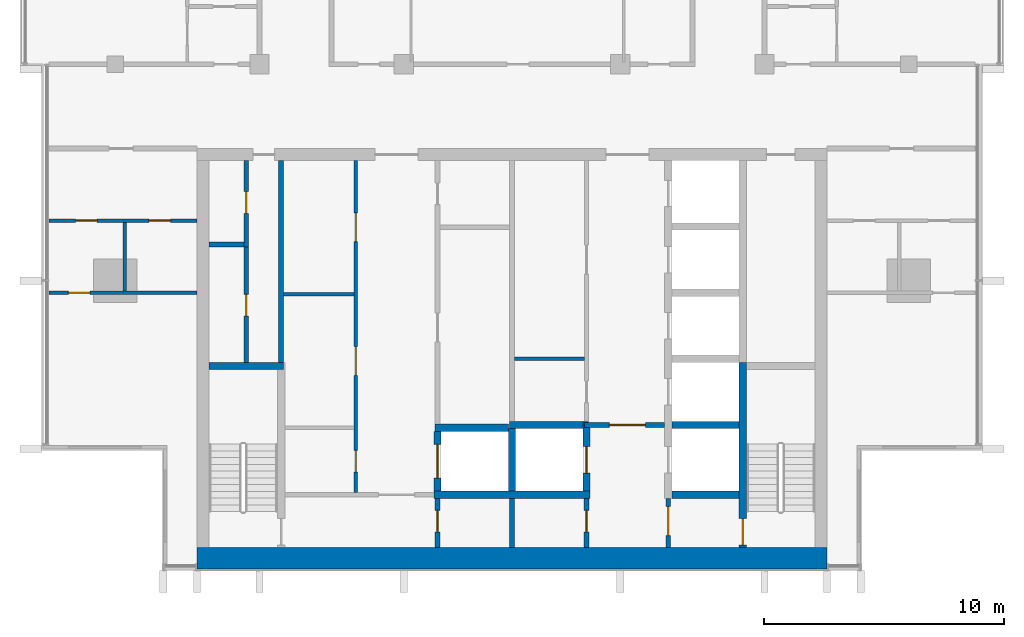
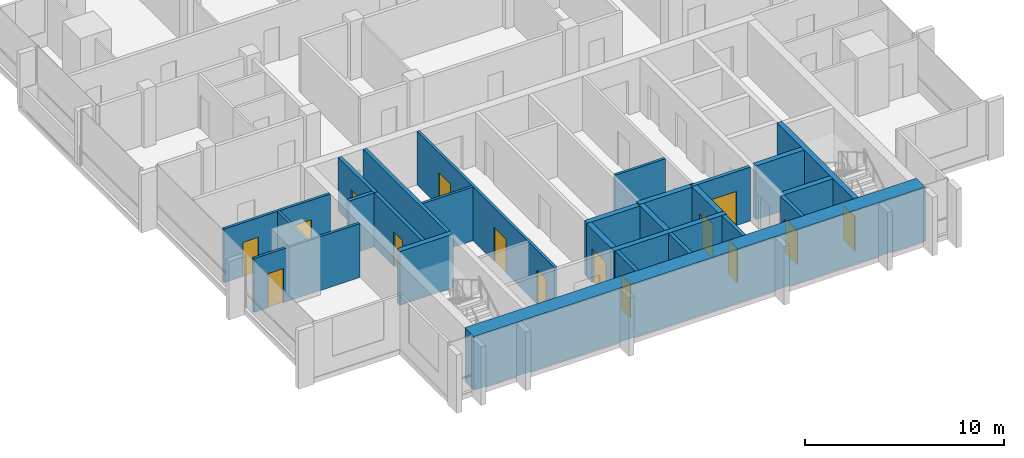
# One storey, part 7 of 16: 26 walls, 15 doors, 15 openings.
"""IFC4 building model written with IfcOpenShell, lengths in metres."""

from ifc_helpers import new_model, si_unit, direction, frame, frame_2d, origin, place, context, subcontext, project, spatial, rectangle, extrude, material, layer, layer_set, type_object, element, fill, save


model = new_model("IFC4")

# Units and contexts
model_context = context("Model", 3, precision=1e-05, world=origin(), true_north=direction((0.0, 1.0)))
body_context = subcontext(model_context, "Body", "Model", "MODEL_VIEW")
ifc_project = project(units=[si_unit("LENGTHUNIT", "METRE"), si_unit("AREAUNIT", "SQUARE_METRE"), si_unit("VOLUMEUNIT", "CUBIC_METRE"), si_unit("PLANEANGLEUNIT", "RADIAN"), si_unit("MASSUNIT", "GRAM", prefix="KILO")], contexts=[model_context])

# Site, building, storey
site_placement = place(None, origin())
site = spatial("IfcSite", under=ifc_project, at=site_placement, CompositionType="ELEMENT")
building_placement = place(site_placement, origin())
building = spatial("IfcBuilding", under=site, at=building_placement, Name="Finial Court Residences", CompositionType="ELEMENT")
storey_placement = place(building_placement, frame((0.0, 0.0, 262.699951171875)))
storey = spatial("IfcBuildingStorey", under=building, at=storey_placement, Name="L66", CompositionType="ELEMENT", Elevation=262.699951171875)

# Walls
ifc_material_1 = material(Name="Fire-rated gypsum board partition")
ifc_layer_1 = layer(ifc_material_1, 0.14990234375)
ifc_layer_set_1 = layer_set([ifc_layer_1], Name="Core room partition 150 EI 60")
wall_type_1 = type_object("IfcWallType", Name="Core room partition 150 EI 60", PredefinedType="PARTITIONING", material=ifc_layer_set_1)
wall_1_placement = place(storey_placement, frame((0.10009765625, -16.75, 0.0), z_axis=(0.0, 0.0, 1.0), x_axis=(1.0, 0.0, 0.0)))
element("IfcWall", 1, at=wall_1_placement, inside=storey, type_object=wall_type_1, Name="Core partition L66-11", PredefinedType="PARTITIONING", context=body_context, shape_type="SweptSolid", body=[
    extrude(rectangle(XDim=2.9248046875, YDim=0.14990234375, at=frame_2d((1.46240234375, 0.0))), origin(), (0.0, 0.0, 1.0), 3.300048828125),
])
wall_2_placement = place(storey_placement, frame((-9.5, -14.06005859375, 0.0), z_axis=(0.0, 0.0, 1.0), x_axis=(1.0, 0.0, 0.0)))
element("IfcWall", 2, at=wall_2_placement, inside=storey, type_object=wall_type_1, Name="Core partition L66-13", PredefinedType="PARTITIONING", context=body_context, shape_type="SweptSolid", body=[
    extrude(rectangle(XDim=2.925048828125, YDim=0.14990234375, at=frame_2d((1.46240234375, 0.0))), origin(), (0.0, 0.0, 1.0), 3.300048828125),
])

# Wall, openings, doors
wall_3_placement = place(storey_placement, frame((-6.5, -22.300048828125, 0.0), z_axis=(0.0, 0.0, 1.0), x_axis=(0.0, 1.0, 0.0)))
wall_3 = element("IfcWall", 3, at=wall_3_placement, inside=storey, type_object=wall_type_1, Name="Core partition L66-22", PredefinedType="PARTITIONING", context=body_context, shape_type="SweptSolid", body=[
    extrude(rectangle(XDim=13.800048828125, YDim=0.14990234375, at=frame_2d((6.89990234375, 0.0))), origin(), (0.0, 0.0, 1.0), 3.300048828125),
])
opening_1_placement = place(wall_3_placement, frame((0.840087890625, 0.0, 0.0)))
opening_1 = element("IfcOpeningElement", 4, at=opening_1_placement, cuts=wall_3, Name="Opening L66-C14", PredefinedType="OPENING", context=body_context, shape_type="SweptSolid", body=[
    extrude(rectangle(XDim=0.89990234375, YDim=2.10009765625, at=frame_2d((0.449951171875, 1.050048828125))), frame((0.0, 0.0849609375, 0.0), z_axis=(0.0, -1.0, 0.0), x_axis=(1.0, 0.0, 0.0)), (0.0, 0.0, 1.0), 0.169921875),
])
opening_2_placement = place(wall_3_placement, frame((4.860107421875, 0.0, 0.0)))
opening_2 = element("IfcOpeningElement", 5, at=opening_2_placement, cuts=wall_3, Name="Opening L66-C15", PredefinedType="OPENING", context=body_context, shape_type="SweptSolid", body=[
    extrude(rectangle(XDim=1.199951171875, YDim=2.10009765625, at=frame_2d((0.60009765625, 1.050048828125))), frame((0.0, 0.0849609375, 0.0), z_axis=(0.0, -1.0, 0.0), x_axis=(1.0, 0.0, 0.0)), (0.0, 0.0, 1.0), 0.169921875),
])
opening_3_placement = place(wall_3_placement, frame((10.419921875, 0.0, 0.0)))
opening_3 = element("IfcOpeningElement", 6, at=opening_3_placement, cuts=wall_3, Name="Opening L66-C16", PredefinedType="OPENING", context=body_context, shape_type="SweptSolid", body=[
    extrude(rectangle(XDim=1.199951171875, YDim=2.10009765625, at=frame_2d((0.60009765625, 1.050048828125))), frame((0.0, 0.0849609375, 0.0), z_axis=(0.0, -1.0, 0.0), x_axis=(1.0, 0.0, 0.0)), (0.0, 0.0, 1.0), 0.169921875),
])
ifc_material_2 = material(Name="Steel fire door", Category="steel")
door_type_1 = type_object("IfcDoorType", Name="Core room door 1200 x 2100 EI 60", OperationType="NOTDEFINED", PredefinedType="DOOR", material=ifc_material_2)
door_1_placement = place(opening_2_placement, origin())
door_1 = element("IfcDoor", 7, at=door_1_placement, inside=storey, type_object=door_type_1, Name="Core room door L66-C15", OperationType="SINGLE_SWING_RIGHT", OverallHeight=2.10009765625, OverallWidth=1.199951171875, PredefinedType="DOOR", context=body_context, shape_type="SweptSolid", body=[
    extrude(rectangle(XDim=1.199951171875, YDim=2.10009765625, at=frame_2d((0.60009765625, 1.050048828125))), frame((0.0, 0.02490234375, 0.0), z_axis=(0.0, -1.0, 0.0), x_axis=(1.0, 0.0, 0.0)), (0.0, 0.0, 1.0), 0.050048828125),
])
fill(opening_2, door_1)
door_2_placement = place(opening_3_placement, origin())
door_2 = element("IfcDoor", 8, at=door_2_placement, inside=storey, type_object=door_type_1, Name="Core room door L66-C16", OperationType="SINGLE_SWING_RIGHT", OverallHeight=2.10009765625, OverallWidth=1.199951171875, PredefinedType="DOOR", context=body_context, shape_type="SweptSolid", body=[
    extrude(rectangle(XDim=1.199951171875, YDim=2.10009765625, at=frame_2d((0.60009765625, 1.050048828125))), frame((0.0, 0.02490234375, 0.0), z_axis=(0.0, -1.0, 0.0), x_axis=(1.0, 0.0, 0.0)), (0.0, 0.0, 1.0), 0.050048828125),
])
fill(opening_3, door_2)
door_type_2 = type_object("IfcDoorType", Name="Core room door 900 x 2100 EI 60", OperationType="NOTDEFINED", PredefinedType="DOOR", material=ifc_material_2)
door_3_placement = place(opening_1_placement, origin())
door_3 = element("IfcDoor", 9, at=door_3_placement, inside=storey, type_object=door_type_2, Name="Core room door L66-C14", OperationType="SINGLE_SWING_LEFT", OverallHeight=2.10009765625, OverallWidth=0.89990234375, PredefinedType="DOOR", context=body_context, shape_type="SweptSolid", body=[
    extrude(rectangle(XDim=0.89990234375, YDim=2.10009765625, at=frame_2d((0.449951171875, 1.050048828125))), frame((0.0, 0.02490234375, 0.0), z_axis=(0.0, -1.0, 0.0), x_axis=(1.0, 0.0, 0.0)), (0.0, 0.0, 1.0), 0.050048828125),
])
fill(opening_1, door_3)

# Wall
ifc_material_3 = material(Name="Concrete C50/60", Category="concrete")
ifc_layer_2 = layer(ifc_material_3, 0.89990234375)
ifc_layer_set_2 = layer_set([ifc_layer_2], Name="Core south facade wall 900 Concrete C50/60")
wall_type_2 = type_object("IfcWallType", Name="Core south facade wall 900 Concrete C50/60", PredefinedType="SHEAR", material=ifc_layer_set_2)
wall_4_placement = place(storey_placement, frame((-13.10009765625, -25.050048828125, 0.0), z_axis=(0.0, 0.0, 1.0), x_axis=(1.0, 0.0, 0.0)))
element("IfcWall", 10, at=wall_4_placement, inside=storey, type_object=wall_type_2, Name="Core outer wall L66-01", PredefinedType="SHEAR", context=body_context, shape_type="SweptSolid", body=[
    extrude(rectangle(XDim=26.2001953125, YDim=0.89990234375, at=frame_2d((13.10009765625, 0.0))), origin(), (0.0, 0.0, 1.0), 3.300048828125),
])

# Wall, opening, door
ifc_layer_3 = layer(ifc_material_1, 0.199951171875)
ifc_layer_set_3 = layer_set([ifc_layer_3], Name="Firefighting lobby wall 200 EI 120")
wall_type_3 = type_object("IfcWallType", Name="Firefighting lobby wall 200 EI 120", PredefinedType="PARTITIONING", material=ifc_layer_set_3)
wall_5_placement = place(storey_placement, frame((6.35009765625, -19.5, 0.0), z_axis=(0.0, 0.0, 1.0), x_axis=(-1.0, 0.0, 0.0)))
wall_5 = element("IfcWall", 11, at=wall_5_placement, inside=storey, type_object=wall_type_3, Name="Core partition L66-07", PredefinedType="PARTITIONING", context=body_context, shape_type="SweptSolid", body=[
    extrude(rectangle(XDim=3.3251953125, YDim=0.199951171875, at=frame_2d((1.66259765625, 0.0))), origin(), (0.0, 0.0, 1.0), 3.300048828125),
])
opening_4_placement = place(wall_5_placement, frame((0.800048828125, 0.0, 0.0)))
opening_4 = element("IfcOpeningElement", 12, at=opening_4_placement, cuts=wall_5, Name="Opening L66-C02", PredefinedType="OPENING", context=body_context, shape_type="SweptSolid", body=[
    extrude(rectangle(XDim=1.5, YDim=2.10009765625, at=frame_2d((0.75, 1.050048828125))), frame((0.0, 0.10986328125, 0.0), z_axis=(0.0, -1.0, 0.0), x_axis=(1.0, 0.0, 0.0)), (0.0, 0.0, 1.0), 0.219970703125),
])
door_type_3 = type_object("IfcDoorType", Name="Firefighting lobby door 1500 x 2100 EI 90", OperationType="DOUBLE_DOOR_SINGLE_SWING", PredefinedType="DOOR", material=ifc_material_2)
door_4_placement = place(opening_4_placement, origin())
door_4 = element("IfcDoor", 13, at=door_4_placement, inside=storey, type_object=door_type_3, Name="Firefighting lobby door L66-C02", OperationType="DOUBLE_DOOR_SINGLE_SWING", OverallHeight=2.10009765625, OverallWidth=1.5, PredefinedType="DOOR", context=body_context, shape_type="SweptSolid", body=[
    extrude(rectangle(XDim=1.5, YDim=2.10009765625, at=frame_2d((0.75, 1.050048828125))), frame((0.0, 0.02490234375, 0.0), z_axis=(0.0, -1.0, 0.0), x_axis=(1.0, 0.0, 0.0)), (0.0, 0.0, 1.0), 0.050048828125),
])
fill(opening_4, door_4)

wall_6_placement = place(storey_placement, frame((3.10009765625, -24.60009765625, 0.0), z_axis=(0.0, 0.0, 1.0), x_axis=(0.0, 1.0, 0.0)))
wall_6 = element("IfcWall", 14, at=wall_6_placement, inside=storey, type_object=wall_type_3, Name="Core partition L66-29", PredefinedType="PARTITIONING", context=body_context, shape_type="SweptSolid", body=[
    extrude(rectangle(XDim=2.050048828125, YDim=0.199951171875, at=frame_2d((1.02490234375, 0.0))), origin(), (0.0, 0.0, 1.0), 3.300048828125),
])
opening_5_placement = place(wall_6_placement, frame((0.64990234375, 0.0, 0.0)))
opening_5 = element("IfcOpeningElement", 15, at=opening_5_placement, cuts=wall_6, Name="Opening L66-C06", PredefinedType="OPENING", context=body_context, shape_type="SweptSolid", body=[
    extrude(rectangle(XDim=0.89990234375, YDim=2.10009765625, at=frame_2d((0.449951171875, 1.050048828125))), frame((0.0, 0.10986328125, 0.0), z_axis=(0.0, -1.0, 0.0), x_axis=(1.0, 0.0, 0.0)), (0.0, 0.0, 1.0), 0.219970703125),
])
door_type_4 = type_object("IfcDoorType", Name="Riser room door 900 x 2100 EI 90", OperationType="NOTDEFINED", PredefinedType="DOOR", material=ifc_material_2)
door_5_placement = place(opening_5_placement, origin())
door_5 = element("IfcDoor", 16, at=door_5_placement, inside=storey, type_object=door_type_4, Name="Riser room door L66-C06", OperationType="SINGLE_SWING_LEFT", OverallHeight=2.10009765625, OverallWidth=0.89990234375, PredefinedType="DOOR", context=body_context, shape_type="SweptSolid", body=[
    extrude(rectangle(XDim=0.89990234375, YDim=2.10009765625, at=frame_2d((0.449951171875, 1.050048828125))), frame((0.0, 0.02490234375, 0.0), z_axis=(0.0, -1.0, 0.0), x_axis=(1.0, 0.0, 0.0)), (0.0, 0.0, 1.0), 0.050048828125),
])
fill(opening_5, door_5)

wall_7_placement = place(storey_placement, frame((6.5, -22.550048828125, 0.0), z_axis=(0.0, 0.0, 1.0), x_axis=(0.0, -1.0, 0.0)))
wall_7 = element("IfcWall", 17, at=wall_7_placement, inside=storey, type_object=wall_type_3, Name="Core partition L66-32", PredefinedType="PARTITIONING", context=body_context, shape_type="SweptSolid", body=[
    extrude(rectangle(XDim=2.050048828125, YDim=0.199951171875, at=frame_2d((1.02490234375, 0.0))), origin(), (0.0, 0.0, 1.0), 3.300048828125),
])
opening_6_placement = place(wall_7_placement, frame((0.35009765625, 0.0, 0.0)))
opening_6 = element("IfcOpeningElement", 18, at=opening_6_placement, cuts=wall_7, Name="Opening L66-C01", PredefinedType="OPENING", context=body_context, shape_type="SweptSolid", body=[
    extrude(rectangle(XDim=1.199951171875, YDim=2.10009765625, at=frame_2d((0.60009765625, 1.050048828125))), frame((0.0, 0.10986328125, 0.0), z_axis=(0.0, -1.0, 0.0), x_axis=(1.0, 0.0, 0.0)), (0.0, 0.0, 1.0), 0.219970703125),
])
door_type_5 = type_object("IfcDoorType", Name="Firefighting lobby door 1200 x 2100 EI 90", OperationType="NOTDEFINED", PredefinedType="DOOR", material=ifc_material_2)
door_6_placement = place(opening_6_placement, origin())
door_6 = element("IfcDoor", 19, at=door_6_placement, inside=storey, type_object=door_type_5, Name="Firefighting lobby door L66-C01", OperationType="SINGLE_SWING_RIGHT", OverallHeight=2.10009765625, OverallWidth=1.199951171875, PredefinedType="DOOR", context=body_context, shape_type="SweptSolid", body=[
    extrude(rectangle(XDim=1.199951171875, YDim=2.10009765625, at=frame_2d((0.60009765625, 1.050048828125))), frame((0.0, 0.02490234375, 0.0), z_axis=(0.0, -1.0, 0.0), x_axis=(1.0, 0.0, 0.0)), (0.0, 0.0, 1.0), 0.050048828125),
])
fill(opening_6, door_6)

ifc_material_4 = material(Name="Moisture-resistant gypsum board")
ifc_layer_4 = layer(ifc_material_4, 0.012451171875)
ifc_material_5 = material(Name="Mineral wool in light-gauge frame")
ifc_layer_5 = layer(ifc_material_5, 0.125)
ifc_layer_6 = layer(ifc_material_4, 0.012451171875)
ifc_layer_set_4 = layer_set([ifc_layer_4, ifc_layer_5, ifc_layer_6], Name="Gypsum board wet-area partition 150")
wall_type_4 = type_object("IfcWallType", Name="Gypsum board wet-area partition 150", PredefinedType="PARTITIONING", material=ifc_layer_set_4)
wall_8_placement = place(storey_placement, frame((-19.262451171875, -14.0, 0.0), z_axis=(0.0, 0.0, 1.0), x_axis=(1.0, 0.0, 0.0)))
wall_8 = element("IfcWall", 20, at=wall_8_placement, inside=storey, type_object=wall_type_4, Name="Partition L66-000", PredefinedType="PARTITIONING", context=body_context, shape_type="SweptSolid", body=[
    extrude(rectangle(XDim=6.162353515625, YDim=0.14990234375, at=frame_2d((3.0810546875, 0.0))), origin(), (0.0, 0.0, 1.0), 3.300048828125),
])
opening_7_placement = place(wall_8_placement, frame((0.81201171875, 0.0, 0.0)))
opening_7 = element("IfcOpeningElement", 21, at=opening_7_placement, cuts=wall_8, Name="Opening L66-D001", PredefinedType="OPENING", context=body_context, shape_type="SweptSolid", body=[
    extrude(rectangle(XDim=0.89990234375, YDim=2.10009765625, at=frame_2d((0.449951171875, 1.050048828125))), frame((0.0, 0.0849609375, 0.0), z_axis=(0.0, -1.0, 0.0), x_axis=(1.0, 0.0, 0.0)), (0.0, 0.0, 1.0), 0.169921875),
])
ifc_material_6 = material(Name="Timber door leaf in timber frame", Category="wood")
door_type_6 = type_object("IfcDoorType", Name="Door set 900 x 2100", OperationType="SINGLE_SWING_LEFT", PredefinedType="DOOR", material=ifc_material_6)
door_7_placement = place(opening_7_placement, origin())
door_7 = element("IfcDoor", 22, at=door_7_placement, inside=storey, type_object=door_type_6, Name="Door L66-D001", OperationType="SINGLE_SWING_LEFT", OverallHeight=2.10009765625, OverallWidth=0.89990234375, PredefinedType="DOOR", context=body_context, shape_type="SweptSolid", body=[
    extrude(rectangle(XDim=0.89990234375, YDim=2.10009765625, at=frame_2d((0.449951171875, 1.050048828125))), frame((0.0, 0.02490234375, 0.0), z_axis=(0.0, -1.0, 0.0), x_axis=(1.0, 0.0, 0.0)), (0.0, 0.0, 1.0), 0.050048828125),
])
fill(opening_7, door_7)

# Wall, openings, doors
wall_9_placement = place(storey_placement, frame((-19.262451171875, -11.0, 0.0), z_axis=(0.0, 0.0, 1.0), x_axis=(1.0, 0.0, 0.0)))
wall_9 = element("IfcWall", 23, at=wall_9_placement, inside=storey, type_object=wall_type_4, Name="Partition L66-002", PredefinedType="PARTITIONING", context=body_context, shape_type="SweptSolid", body=[
    extrude(rectangle(XDim=6.162353515625, YDim=0.14990234375, at=frame_2d((3.0810546875, 0.0))), origin(), (0.0, 0.0, 1.0), 3.300048828125),
])
opening_8_placement = place(wall_9_placement, frame((1.113037109375, 0.0, 0.0)))
opening_8 = element("IfcOpeningElement", 24, at=opening_8_placement, cuts=wall_9, Name="Opening L66-D003", PredefinedType="OPENING", context=body_context, shape_type="SweptSolid", body=[
    extrude(rectangle(XDim=0.89990234375, YDim=2.10009765625, at=frame_2d((0.449951171875, 1.050048828125))), frame((0.0, 0.0849609375, 0.0), z_axis=(0.0, -1.0, 0.0), x_axis=(1.0, 0.0, 0.0)), (0.0, 0.0, 1.0), 0.169921875),
])
opening_9_placement = place(wall_9_placement, frame((4.162109375, 0.0, 0.0)))
opening_9 = element("IfcOpeningElement", 25, at=opening_9_placement, cuts=wall_9, Name="Opening L66-D004", PredefinedType="OPENING", context=body_context, shape_type="SweptSolid", body=[
    extrude(rectangle(XDim=0.89990234375, YDim=2.10009765625, at=frame_2d((0.449951171875, 1.050048828125))), frame((0.0, 0.0849609375, 0.0), z_axis=(0.0, -1.0, 0.0), x_axis=(1.0, 0.0, 0.0)), (0.0, 0.0, 1.0), 0.169921875),
])
door_8_placement = place(opening_8_placement, origin())
door_8 = element("IfcDoor", 26, at=door_8_placement, inside=storey, type_object=door_type_6, Name="Door L66-D003", OperationType="SINGLE_SWING_LEFT", OverallHeight=2.10009765625, OverallWidth=0.89990234375, PredefinedType="DOOR", context=body_context, shape_type="SweptSolid", body=[
    extrude(rectangle(XDim=0.89990234375, YDim=2.10009765625, at=frame_2d((0.449951171875, 1.050048828125))), frame((0.0, 0.02490234375, 0.0), z_axis=(0.0, -1.0, 0.0), x_axis=(1.0, 0.0, 0.0)), (0.0, 0.0, 1.0), 0.050048828125),
])
fill(opening_8, door_8)
door_9_placement = place(opening_9_placement, origin())
door_9 = element("IfcDoor", 27, at=door_9_placement, inside=storey, type_object=door_type_6, Name="Door L66-D004", OperationType="SINGLE_SWING_RIGHT", OverallHeight=2.10009765625, OverallWidth=0.89990234375, PredefinedType="DOOR", context=body_context, shape_type="SweptSolid", body=[
    extrude(rectangle(XDim=0.89990234375, YDim=2.10009765625, at=frame_2d((0.449951171875, 1.050048828125))), frame((0.0, 0.02490234375, 0.0), z_axis=(0.0, -1.0, 0.0), x_axis=(1.0, 0.0, 0.0)), (0.0, 0.0, 1.0), 0.050048828125),
])
fill(opening_9, door_9)

# Walls
wall_10_placement = place(storey_placement, frame((-16.10009765625, -13.925048828125, 0.0), z_axis=(0.0, 0.0, 1.0), x_axis=(0.0, 1.0, 0.0)))
element("IfcWall", 28, at=wall_10_placement, inside=storey, type_object=wall_type_4, Name="Partition L66-024", PredefinedType="PARTITIONING", context=body_context, shape_type="SweptSolid", body=[
    extrude(rectangle(XDim=2.85009765625, YDim=0.14990234375, at=frame_2d((1.425048828125, 0.0))), origin(), (0.0, 0.0, 1.0), 3.300048828125),
])
ifc_layer_7 = layer(ifc_material_3, 0.300048828125)
ifc_layer_set_5 = layer_set([ifc_layer_7], Name="Lift shaft and stair wall 300 Concrete C50/60")
wall_type_5 = type_object("IfcWallType", Name="Lift shaft and stair wall 300 Concrete C50/60", PredefinedType="SHEAR", material=ifc_layer_set_5)
wall_11_placement = place(storey_placement, frame((-3.25, -22.39990234375, 0.0), z_axis=(0.0, 0.0, 1.0), x_axis=(1.0, 0.0, 0.0)))
element("IfcWall", 29, at=wall_11_placement, inside=storey, type_object=wall_type_5, Name="Core wall L66-02", PredefinedType="SHEAR", context=body_context, shape_type="SweptSolid", body=[
    extrude(rectangle(XDim=6.5, YDim=0.300048828125, at=frame_2d((3.25, 0.0))), origin(), (0.0, 0.0, 1.0), 3.300048828125),
])
wall_12_placement = place(storey_placement, frame((6.64990234375, -22.39990234375, 0.0), z_axis=(0.0, 0.0, 1.0), x_axis=(1.0, 0.0, 0.0)))
element("IfcWall", 30, at=wall_12_placement, inside=storey, type_object=wall_type_5, Name="Core wall L66-03", PredefinedType="SHEAR", context=body_context, shape_type="SweptSolid", body=[
    extrude(rectangle(XDim=2.800048828125, YDim=0.300048828125, at=frame_2d((1.39990234375, 0.0))), origin(), (0.0, 0.0, 1.0), 3.300048828125),
])
wall_13_placement = place(storey_placement, frame((-3.199951171875, -19.6201171875, 0.0), z_axis=(0.0, 0.0, 1.0), x_axis=(1.0, 0.0, 0.0)))
element("IfcWall", 31, at=wall_13_placement, inside=storey, type_object=wall_type_5, Name="Core wall L66-05", PredefinedType="SHEAR", context=body_context, shape_type="SweptSolid", body=[
    extrude(rectangle(XDim=3.050048828125, YDim=0.300048828125, at=frame_2d((1.52490234375, 0.0))), origin(), (0.0, 0.0, 1.0), 3.300048828125),
])
wall_14_placement = place(storey_placement, frame((-0.10009765625, -19.5, 0.0), z_axis=(0.0, 0.0, 1.0), x_axis=(1.0, 0.0, 0.0)))
element("IfcWall", 32, at=wall_14_placement, inside=storey, type_object=wall_type_5, Name="Core wall L66-06", PredefinedType="SHEAR", context=body_context, shape_type="SweptSolid", body=[
    extrude(rectangle(XDim=3.275146484375, YDim=0.300048828125, at=frame_2d((1.6376953125, 0.0))), origin(), (0.0, 0.0, 1.0), 3.300048828125),
])
wall_15_placement = place(storey_placement, frame((6.64990234375, -19.5, 0.0), z_axis=(0.0, 0.0, 1.0), x_axis=(1.0, 0.0, 0.0)))
element("IfcWall", 33, at=wall_15_placement, inside=storey, type_object=wall_type_5, Name="Core wall L66-08", PredefinedType="SHEAR", context=body_context, shape_type="SweptSolid", body=[
    extrude(rectangle(XDim=2.800048828125, YDim=0.300048828125, at=frame_2d((1.39990234375, 0.0))), origin(), (0.0, 0.0, 1.0), 3.300048828125),
])
wall_16_placement = place(storey_placement, frame((-12.60009765625, -17.050048828125, 0.0), z_axis=(0.0, 0.0, 1.0), x_axis=(1.0, 0.0, 0.0)))
element("IfcWall", 34, at=wall_16_placement, inside=storey, type_object=wall_type_5, Name="Core wall L66-09", PredefinedType="SHEAR", context=body_context, shape_type="SweptSolid", body=[
    extrude(rectangle(XDim=3.10009765625, YDim=0.300048828125, at=frame_2d((1.550048828125, 0.0))), origin(), (0.0, 0.0, 1.0), 3.300048828125),
])

# Wall, opening, door
wall_17_placement = place(storey_placement, frame((-3.10009765625, -22.25, 0.0), z_axis=(0.0, 0.0, 1.0), x_axis=(0.0, 1.0, 0.0)))
wall_17 = element("IfcWall", 35, at=wall_17_placement, inside=storey, type_object=wall_type_5, Name="Core wall L66-24", PredefinedType="SHEAR", context=body_context, shape_type="SweptSolid", body=[
    extrude(rectangle(XDim=2.47998046875, YDim=0.300048828125, at=frame_2d((1.239990234375, 0.0))), origin(), (0.0, 0.0, 1.0), 3.300048828125),
])
opening_10_placement = place(wall_17_placement, frame((0.5400390625, 0.0, 0.0)))
opening_10 = element("IfcOpeningElement", 36, at=opening_10_placement, cuts=wall_17, Name="Opening L66-LD07", PredefinedType="OPENING", context=body_context, shape_type="SweptSolid", body=[
    extrude(rectangle(XDim=1.39990234375, YDim=2.10009765625, at=frame_2d((0.699951171875, 1.050048828125))), frame((0.0, 0.159912109375, 0.0), z_axis=(0.0, -1.0, 0.0), x_axis=(1.0, 0.0, 0.0)), (0.0, 0.0, 1.0), 0.320068359375),
])
ifc_material_7 = material(Name="Stainless steel lift door", Category="steel")
door_type_7 = type_object("IfcDoorType", Name="Lift landing door 1400 x 2100 EI 90", OperationType="DOUBLE_DOOR_SLIDING", PredefinedType="DOOR", material=ifc_material_7)
door_10_placement = place(opening_10_placement, origin())
door_10 = element("IfcDoor", 37, at=door_10_placement, inside=storey, type_object=door_type_7, Name="Lift landing door SV1 L66", OperationType="DOUBLE_DOOR_SLIDING", OverallHeight=2.10009765625, OverallWidth=1.39990234375, PredefinedType="DOOR", context=body_context, shape_type="SweptSolid", body=[
    extrude(rectangle(XDim=1.39990234375, YDim=2.10009765625, at=frame_2d((0.699951171875, 1.050048828125))), frame((0.0, 0.02490234375, 0.0), z_axis=(0.0, -1.0, 0.0), x_axis=(1.0, 0.0, 0.0)), (0.0, 0.0, 1.0), 0.050048828125),
])
fill(opening_10, door_10)

# Wall
wall_18_placement = place(storey_placement, frame((0.0, -22.25, 0.0), z_axis=(0.0, 0.0, 1.0), x_axis=(0.0, 1.0, 0.0)))
element("IfcWall", 38, at=wall_18_placement, inside=storey, type_object=wall_type_5, Name="Core wall L66-27", PredefinedType="SHEAR", context=body_context, shape_type="SweptSolid", body=[
    extrude(rectangle(XDim=2.60009765625, YDim=0.300048828125, at=frame_2d((1.300048828125, 0.0))), origin(), (0.0, 0.0, 1.0), 3.300048828125),
])

# Wall, opening, door
wall_19_placement = place(storey_placement, frame((3.10009765625, -22.25, 0.0), z_axis=(0.0, 0.0, 1.0), x_axis=(0.0, 1.0, 0.0)))
wall_19 = element("IfcWall", 39, at=wall_19_placement, inside=storey, type_object=wall_type_5, Name="Core wall L66-30", PredefinedType="SHEAR", context=body_context, shape_type="SweptSolid", body=[
    extrude(rectangle(XDim=2.85009765625, YDim=0.300048828125, at=frame_2d((1.425048828125, 0.0))), origin(), (0.0, 0.0, 1.0), 3.300048828125),
])
opening_11_placement = place(wall_19_placement, frame((0.75, 0.0, 0.0)))
opening_11 = element("IfcOpeningElement", 40, at=opening_11_placement, cuts=wall_19, Name="Opening L66-LD01", PredefinedType="OPENING", context=body_context, shape_type="SweptSolid", body=[
    extrude(rectangle(XDim=1.10009765625, YDim=2.10009765625, at=frame_2d((0.550048828125, 1.050048828125))), frame((0.0, 0.159912109375, 0.0), z_axis=(0.0, -1.0, 0.0), x_axis=(1.0, 0.0, 0.0)), (0.0, 0.0, 1.0), 0.320068359375),
])
door_type_8 = type_object("IfcDoorType", Name="Lift landing door 1100 x 2100 EI 90", OperationType="DOUBLE_DOOR_SLIDING", PredefinedType="DOOR", material=ifc_material_7)
door_11_placement = place(opening_11_placement, origin())
door_11 = element("IfcDoor", 41, at=door_11_placement, inside=storey, type_object=door_type_8, Name="Lift landing door FF1 L66", OperationType="DOUBLE_DOOR_SLIDING", OverallHeight=2.10009765625, OverallWidth=1.10009765625, PredefinedType="DOOR", context=body_context, shape_type="SweptSolid", body=[
    extrude(rectangle(XDim=1.10009765625, YDim=2.10009765625, at=frame_2d((0.550048828125, 1.050048828125))), frame((0.0, 0.02490234375, 0.0), z_axis=(0.0, -1.0, 0.0), x_axis=(1.0, 0.0, 0.0)), (0.0, 0.0, 1.0), 0.050048828125),
])
fill(opening_11, door_11)

wall_20_placement = place(storey_placement, frame((9.60009765625, -16.89990234375, 0.0), z_axis=(0.0, 0.0, 1.0), x_axis=(0.0, -1.0, 0.0)))
wall_20 = element("IfcWall", 42, at=wall_20_placement, inside=storey, type_object=wall_type_5, Name="Core wall L66-34", PredefinedType="SHEAR", context=body_context, shape_type="SweptSolid", body=[
    extrude(rectangle(XDim=7.7001953125, YDim=0.300048828125, at=frame_2d((3.85009765625, 0.0))), origin(), (0.0, 0.0, 1.0), 3.300048828125),
])
opening_12_placement = place(wall_20_placement, frame((6.5, 0.0, 0.0)))
opening_12 = element("IfcOpeningElement", 43, at=opening_12_placement, cuts=wall_20, Name="Opening L66-C20", PredefinedType="OPENING", context=body_context, shape_type="SweptSolid", body=[
    extrude(rectangle(XDim=1.10009765625, YDim=2.10009765625, at=frame_2d((0.550048828125, 1.050048828125))), frame((0.0, 0.159912109375, 0.0), z_axis=(0.0, -1.0, 0.0), x_axis=(1.0, 0.0, 0.0)), (0.0, 0.0, 1.0), 0.320068359375),
])
door_type_9 = type_object("IfcDoorType", Name="Stair door 1100 x 2100 EI 90", OperationType="NOTDEFINED", PredefinedType="DOOR", material=ifc_material_2)
door_12_placement = place(opening_12_placement, origin())
door_12 = element("IfcDoor", 44, at=door_12_placement, inside=storey, type_object=door_type_9, Name="Stair door L66-C20", OperationType="SINGLE_SWING_RIGHT", OverallHeight=2.10009765625, OverallWidth=1.10009765625, PredefinedType="DOOR", context=body_context, shape_type="SweptSolid", body=[
    extrude(rectangle(XDim=1.10009765625, YDim=2.10009765625, at=frame_2d((0.550048828125, 1.050048828125))), frame((0.0, 0.02490234375, 0.0), z_axis=(0.0, -1.0, 0.0), x_axis=(1.0, 0.0, 0.0)), (0.0, 0.0, 1.0), 0.050048828125),
])
fill(opening_12, door_12)

# Wall
ifc_layer_8 = layer(ifc_material_1, 0.199951171875)
ifc_layer_set_6 = layer_set([ifc_layer_8], Name="Riser room wall 200 EI 120")
wall_type_6 = type_object("IfcWallType", Name="Riser room wall 200 EI 120", PredefinedType="PARTITIONING", material=ifc_layer_set_6)
wall_21_placement = place(storey_placement, frame((-12.60009765625, -12.0, 0.0), z_axis=(0.0, 0.0, 1.0), x_axis=(1.0, 0.0, 0.0)))
element("IfcWall", 45, at=wall_21_placement, inside=storey, type_object=wall_type_6, Name="Core partition L66-15", PredefinedType="PARTITIONING", context=body_context, shape_type="SweptSolid", body=[
    extrude(rectangle(XDim=1.4501953125, YDim=0.199951171875, at=frame_2d((0.72509765625, 0.0))), origin(), (0.0, 0.0, 1.0), 3.300048828125),
])

# Wall, opening, door
wall_22_placement = place(storey_placement, frame((-11.050048828125, -12.10009765625, 0.0), z_axis=(0.0, 0.0, 1.0), x_axis=(0.0, 1.0, 0.0)))
wall_22 = element("IfcWall", 46, at=wall_22_placement, inside=storey, type_object=wall_type_6, Name="Core partition L66-19", PredefinedType="PARTITIONING", context=body_context, shape_type="SweptSolid", body=[
    extrude(rectangle(XDim=3.60009765625, YDim=0.199951171875, at=frame_2d((1.800048828125, 0.0))), origin(), (0.0, 0.0, 1.0), 3.300048828125),
])
opening_13_placement = place(wall_22_placement, frame((1.39990234375, 0.0, 0.0)))
opening_13 = element("IfcOpeningElement", 47, at=opening_13_placement, cuts=wall_22, Name="Opening L66-C07", PredefinedType="OPENING", context=body_context, shape_type="SweptSolid", body=[
    extrude(rectangle(XDim=0.89990234375, YDim=2.10009765625, at=frame_2d((0.449951171875, 1.050048828125))), frame((0.0, 0.10986328125, 0.0), z_axis=(0.0, -1.0, 0.0), x_axis=(1.0, 0.0, 0.0)), (0.0, 0.0, 1.0), 0.219970703125),
])
door_13_placement = place(opening_13_placement, origin())
door_13 = element("IfcDoor", 48, at=door_13_placement, inside=storey, type_object=door_type_4, Name="Riser room door L66-C07", OperationType="SINGLE_SWING_LEFT", OverallHeight=2.10009765625, OverallWidth=0.89990234375, PredefinedType="DOOR", context=body_context, shape_type="SweptSolid", body=[
    extrude(rectangle(XDim=0.89990234375, YDim=2.10009765625, at=frame_2d((0.449951171875, 1.050048828125))), frame((0.0, 0.02490234375, 0.0), z_axis=(0.0, -1.0, 0.0), x_axis=(1.0, 0.0, 0.0)), (0.0, 0.0, 1.0), 0.050048828125),
])
fill(opening_13, door_13)

# Wall
wall_23_placement = place(storey_placement, frame((0.0, -24.60009765625, 0.0), z_axis=(0.0, 0.0, 1.0), x_axis=(0.0, 1.0, 0.0)))
element("IfcWall", 49, at=wall_23_placement, inside=storey, type_object=wall_type_6, Name="Core partition L66-26", PredefinedType="PARTITIONING", context=body_context, shape_type="SweptSolid", body=[
    extrude(rectangle(XDim=2.050048828125, YDim=0.199951171875, at=frame_2d((1.02490234375, 0.0))), origin(), (0.0, 0.0, 1.0), 3.300048828125),
])

# Wall, opening, door
ifc_layer_9 = layer(ifc_material_1, 0.199951171875)
ifc_layer_set_7 = layer_set([ifc_layer_9], Name="Stair passage wall 200 EI 180")
wall_type_7 = type_object("IfcWallType", Name="Stair passage wall 200 EI 180", PredefinedType="PARTITIONING", material=ifc_layer_set_7)
wall_24_placement = place(storey_placement, frame((-11.050048828125, -16.89990234375, 0.0), z_axis=(0.0, 0.0, 1.0), x_axis=(0.0, 1.0, 0.0)))
wall_24 = element("IfcWall", 50, at=wall_24_placement, inside=storey, type_object=wall_type_7, Name="Core partition L66-18", PredefinedType="PARTITIONING", context=body_context, shape_type="SweptSolid", body=[
    extrude(rectangle(XDim=5.0, YDim=0.199951171875, at=frame_2d((2.5, 0.0))), origin(), (0.0, 0.0, 1.0), 3.300048828125),
])
opening_14_placement = place(wall_24_placement, frame((1.925048828125, 0.0, 0.0)))
opening_14 = element("IfcOpeningElement", 51, at=opening_14_placement, cuts=wall_24, Name="Opening L66-C13", PredefinedType="OPENING", context=body_context, shape_type="SweptSolid", body=[
    extrude(rectangle(XDim=0.89990234375, YDim=2.10009765625, at=frame_2d((0.449951171875, 1.050048828125))), frame((0.0, 0.10986328125, 0.0), z_axis=(0.0, -1.0, 0.0), x_axis=(1.0, 0.0, 0.0)), (0.0, 0.0, 1.0), 0.219970703125),
])
door_14_placement = place(opening_14_placement, origin())
door_14 = element("IfcDoor", 52, at=door_14_placement, inside=storey, type_object=door_type_2, Name="Core room door L66-C13", OperationType="SINGLE_SWING_LEFT", OverallHeight=2.10009765625, OverallWidth=0.89990234375, PredefinedType="DOOR", context=body_context, shape_type="SweptSolid", body=[
    extrude(rectangle(XDim=0.89990234375, YDim=2.10009765625, at=frame_2d((0.449951171875, 1.050048828125))), frame((0.0, 0.02490234375, 0.0), z_axis=(0.0, -1.0, 0.0), x_axis=(1.0, 0.0, 0.0)), (0.0, 0.0, 1.0), 0.050048828125),
])
fill(opening_14, door_14)

# Wall
wall_25_placement = place(storey_placement, frame((-9.60009765625, -16.89990234375, 0.0), z_axis=(0.0, 0.0, 1.0), x_axis=(0.0, 1.0, 0.0)))
element("IfcWall", 53, at=wall_25_placement, inside=storey, type_object=wall_type_7, Name="Core partition L66-21", PredefinedType="PARTITIONING", context=body_context, shape_type="SweptSolid", body=[
    extrude(rectangle(XDim=8.39990234375, YDim=0.199951171875, at=frame_2d((4.199951171875, 0.0))), origin(), (0.0, 0.0, 1.0), 3.300048828125),
])

# Wall, opening, door
wall_26_placement = place(storey_placement, frame((-3.10009765625, -22.550048828125, 0.0), z_axis=(0.0, 0.0, 1.0), x_axis=(0.0, -1.0, 0.0)))
wall_26 = element("IfcWall", 54, at=wall_26_placement, inside=storey, type_object=wall_type_7, Name="Core partition L66-23", PredefinedType="PARTITIONING", context=body_context, shape_type="SweptSolid", body=[
    extrude(rectangle(XDim=2.050048828125, YDim=0.199951171875, at=frame_2d((1.02490234375, 0.0))), origin(), (0.0, 0.0, 1.0), 3.300048828125),
])
opening_15_placement = place(wall_26_placement, frame((0.5, 0.0, 0.0)))
opening_15 = element("IfcOpeningElement", 55, at=opening_15_placement, cuts=wall_26, Name="Opening L66-C12", PredefinedType="OPENING", context=body_context, shape_type="SweptSolid", body=[
    extrude(rectangle(XDim=0.89990234375, YDim=2.10009765625, at=frame_2d((0.449951171875, 1.050048828125))), frame((0.0, 0.10986328125, 0.0), z_axis=(0.0, -1.0, 0.0), x_axis=(1.0, 0.0, 0.0)), (0.0, 0.0, 1.0), 0.219970703125),
])
door_15_placement = place(opening_15_placement, origin())
door_15 = element("IfcDoor", 56, at=door_15_placement, inside=storey, type_object=door_type_2, Name="Core room door L66-C12", OperationType="SINGLE_SWING_RIGHT", OverallHeight=2.10009765625, OverallWidth=0.89990234375, PredefinedType="DOOR", context=body_context, shape_type="SweptSolid", body=[
    extrude(rectangle(XDim=0.89990234375, YDim=2.10009765625, at=frame_2d((0.449951171875, 1.050048828125))), frame((0.0, 0.02490234375, 0.0), z_axis=(0.0, -1.0, 0.0), x_axis=(1.0, 0.0, 0.0)), (0.0, 0.0, 1.0), 0.050048828125),
])
fill(opening_15, door_15)

save(model, "model.ifc")
